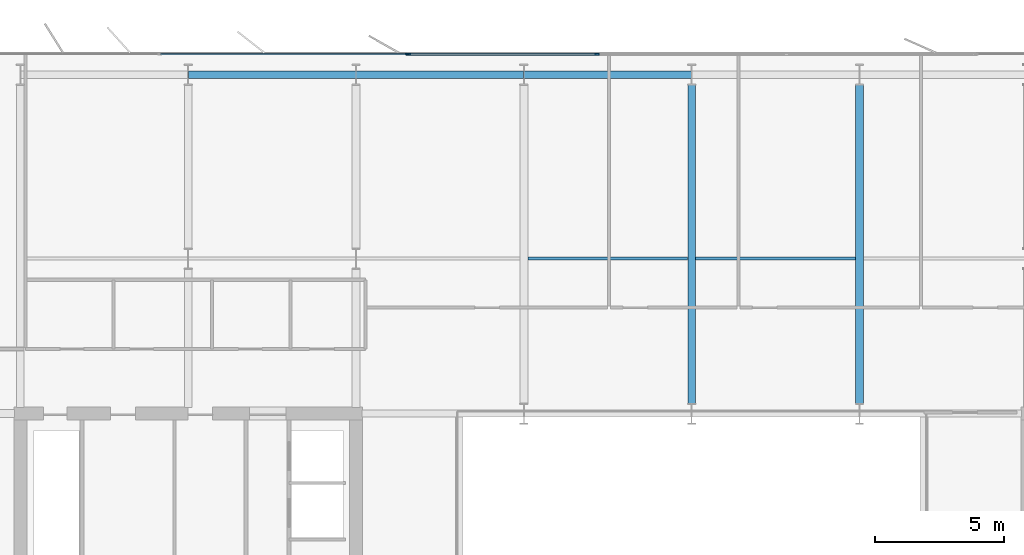
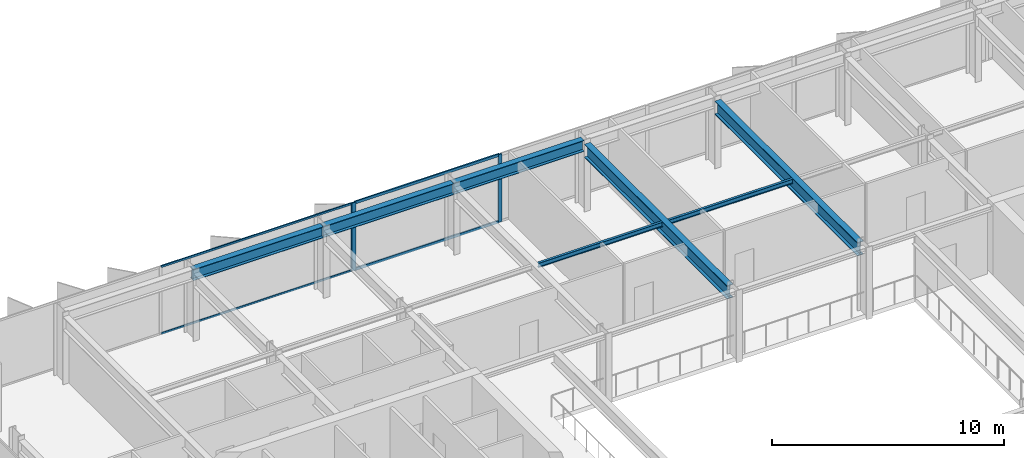
# One storey, part 11 of 23: 7 beams, 7 members, 2 elements without a shape of their own.
"""IFC4 building model written with IfcOpenShell, lengths in metres."""

from ifc_helpers import new_model, si_unit, direction, frame, origin, origin_2d, place, context, subcontext, project, spatial, rectangle, i_section, extrude, material, layer, layer_set, material_profile, profile_set, type_object, element, aggregate, save


model = new_model("IFC4")

# Units and contexts
model_context = context("Model", 3, precision=1e-05, world=origin(), true_north=direction((0.0, 1.0)))
body_context = subcontext(model_context, "Body", "Model", "MODEL_VIEW")
ifc_project = project(units=[si_unit("LENGTHUNIT", "METRE"), si_unit("AREAUNIT", "SQUARE_METRE"), si_unit("VOLUMEUNIT", "CUBIC_METRE"), si_unit("PLANEANGLEUNIT", "RADIAN"), si_unit("MASSUNIT", "GRAM", prefix="KILO")], contexts=[model_context])

# Site, building, storey
site_placement = place(None, origin())
site = spatial("IfcSite", under=ifc_project, at=site_placement, CompositionType="ELEMENT")
building_placement = place(site_placement, origin())
building = spatial("IfcBuilding", under=site, at=building_placement, Name="Putna Gate Headquarters", CompositionType="ELEMENT")
storey_placement = place(building_placement, frame((0.0, 0.0, 232.800048828125)))
storey = spatial("IfcBuildingStorey", under=building, at=storey_placement, Name="L58", CompositionType="ELEMENT", Elevation=232.800048828125)

# Beams
ifc_material_1 = material(Name="Steel S355J2", Category="steel")
ifc_material_profile_1 = material_profile(ifc_material_1, i_section(OverallWidth=0.300048828125, OverallDepth=0.699951171875, WebThickness=0.01708984375, FlangeThickness=0.031982421875, at=origin_2d()), Name="Steel S355J2")
ifc_profile_set_1 = profile_set([ifc_material_profile_1], Name="Steel S355J2")
beam_type_1 = type_object("IfcBeamType", Name="BM-GIRD-B-HEB700", PredefinedType="USERDEFINED", material=ifc_profile_set_1)
for number, where, z_axis, x_axis, name in (
    (1, (39.0, 33.39501953125, 3.22998046875), (0.0, 1.0, 0.0), (-1.0, 0.0, 0.0), "L58 North Primary Girder X39"),
    (2, (45.5, 33.39501953125, 3.22998046875), (0.0, 1.0, 0.0), (-1.0, 0.0, 0.0), "L58 North Primary Girder X45"),
):
    element("IfcBeam", number, at=place(storey_placement, frame(where, z_axis=z_axis, x_axis=x_axis)), inside=storey, type_object=beam_type_1, Name=name, ObjectType="GIRDER", PredefinedType="USERDEFINED", context=body_context, shape_type="SweptSolid", body=[
        extrude(i_section(OverallWidth=0.300048828125, OverallDepth=0.699951171875, WebThickness=0.01708984375, FlangeThickness=0.031982421875, at=origin_2d()), origin(), (0.0, 0.0, 1.0), 12.330078125),
    ])
ifc_material_profile_2 = material_profile(ifc_material_1, i_section(OverallWidth=0.1201171875, OverallDepth=0.239990234375, WebThickness=0.006103515625, FlangeThickness=0.009765625, at=origin_2d()), Name="Steel S355J2")
ifc_profile_set_2 = profile_set([ifc_material_profile_2], Name="Steel S355J2")
beam_type_2 = type_object("IfcBeamType", Name="BM-SEC-Z4-IPE240", PredefinedType="JOIST", material=ifc_profile_set_2)
for number, where, z_axis, x_axis, name in (
    (3, (32.654052734375, 39.0, 3.4599609375), (1.0, 0.0, 0.0), (0.0, 1.0, 0.0), "L58 North Secondary Beam 4"),
    (4, (39.154052734375, 39.0, 3.4599609375), (1.0, 0.0, 0.0), (0.0, 1.0, 0.0), "L58 North Secondary Beam 5"),
):
    element("IfcBeam", number, at=place(storey_placement, frame(where, z_axis=z_axis, x_axis=x_axis)), inside=storey, type_object=beam_type_2, Name=name, PredefinedType="JOIST", context=body_context, shape_type="SweptSolid", body=[
        extrude(i_section(OverallWidth=0.1201171875, OverallDepth=0.239990234375, WebThickness=0.006103515625, FlangeThickness=0.009765625, at=origin_2d()), origin(), (0.0, 0.0, 1.0), 6.19189453125),
    ])
ifc_material_profile_3 = material_profile(ifc_material_1, i_section(OverallWidth=0.300048828125, OverallDepth=0.590087890625, WebThickness=0.012939453125, FlangeThickness=0.02490234375, at=origin_2d()), Name="Steel S355J2")
ifc_profile_set_3 = profile_set([ifc_material_profile_3], Name="Steel S355J2")
beam_type_3 = type_object("IfcBeamType", Name="BM-SPAN-Z4-HEA600", PredefinedType="SPANDREL", material=ifc_profile_set_3)
for number, where, z_axis, x_axis, name in (
    (5, (19.506103515625, 46.1201171875, 3.284912109375), (1.0, 0.0, 0.0), (0.0, 1.0, 0.0), "L58 N Perimeter Spandrel 2"),
    (6, (26.006103515625, 46.1201171875, 3.284912109375), (1.0, 0.0, 0.0), (0.0, 1.0, 0.0), "L58 N Perimeter Spandrel 3"),
    (7, (32.506103515625, 46.1201171875, 3.284912109375), (1.0, 0.0, 0.0), (0.0, 1.0, 0.0), "L58 N Perimeter Spandrel 4"),
):
    element("IfcBeam", number, at=place(storey_placement, frame(where, z_axis=z_axis, x_axis=x_axis)), inside=storey, type_object=beam_type_3, Name=name, PredefinedType="SPANDREL", context=body_context, shape_type="SweptSolid", body=[
        extrude(i_section(OverallWidth=0.300048828125, OverallDepth=0.590087890625, WebThickness=0.012939453125, FlangeThickness=0.02490234375, at=origin_2d()), origin(), (0.0, 0.0, 1.0), 6.48779296875),
    ])

# Curtain wall, member
ifc_material_2 = material(Name="Anodised bronze aluminium curtain wall", Category="aluminium")
ifc_layer_1 = layer(ifc_material_2, 0.139892578125)
ifc_layer_set_1 = layer_set([ifc_layer_1], Name="Anodised bronze aluminium curtain wall")
curtain_wall_type_1 = type_object("IfcCurtainWallType", Name="CW-SYS-Z4", PredefinedType="USERDEFINED", material=ifc_layer_set_1)
curtain_wall_1_placement = place(storey_placement, origin())
curtain_wall_1 = element("IfcCurtainWall", 8, at=curtain_wall_1_placement, inside=storey, type_object=curtain_wall_type_1, Name="L58 North West Curtain Wall", ObjectType="STICK CURTAIN WALL", PredefinedType="USERDEFINED")
ifc_material_3 = material(Name="Anodised bronze aluminium EN AW-6060", Category="aluminium")
ifc_material_profile_4 = material_profile(ifc_material_3, rectangle(XDim=0.06005859375, YDim=0.139892578125, at=origin_2d()), Name="Anodised bronze aluminium EN AW-6060")
ifc_profile_set_4 = profile_set([ifc_material_profile_4], Name="Anodised bronze aluminium EN AW-6060")
member_type_1 = type_object("IfcMemberType", Name="MULL-CWM-4", PredefinedType="MULLION", material=ifc_profile_set_4)
member_1_placement = place(storey_placement, frame((27.969970703125, 46.919921875, 0.0), z_axis=(0.0, 0.0, 1.0), x_axis=(0.0, 1.0, 0.0)))
member_1 = element("IfcMember", 9, at=member_1_placement, type_object=member_type_1, Name="CWS-4 mullion 3", PredefinedType="MULLION", context=body_context, shape_type="SweptSolid", body=[
    extrude(rectangle(XDim=0.06005859375, YDim=0.139892578125, at=origin_2d()), origin(), (0.0, 0.0, 1.0), 3.579833984375),
])

# Curtain wall, members
ifc_layer_2 = layer(ifc_material_2, 0.179931640625)
ifc_layer_set_2 = layer_set([ifc_layer_2], Name="Anodised bronze aluminium curtain wall")
curtain_wall_type_2 = type_object("IfcCurtainWallType", Name="CW-SYS-ATR", PredefinedType="USERDEFINED", material=ifc_layer_set_2)
curtain_wall_2_placement = place(storey_placement, origin())
curtain_wall_2 = element("IfcCurtainWall", 10, at=curtain_wall_2_placement, inside=storey, type_object=curtain_wall_type_2, Name="L58 North Atrium Clear Glazing", ObjectType="ATRIUM GLAZING", PredefinedType="USERDEFINED")
ifc_material_profile_5 = material_profile(ifc_material_3, rectangle(XDim=0.070068359375, YDim=0.179931640625, at=origin_2d()), Name="Anodised bronze aluminium EN AW-6060")
ifc_profile_set_5 = profile_set([ifc_material_profile_5], Name="Anodised bronze aluminium EN AW-6060")
member_type_2 = type_object("IfcMemberType", Name="MULL-CWM-AT", PredefinedType="MULLION", material=ifc_profile_set_5)
member_2_placement = place(storey_placement, frame((28.034912109375, 46.919921875, 0.0), z_axis=(0.0, 0.0, 1.0), x_axis=(0.0, 1.0, 0.0)))
member_2 = element("IfcMember", 11, at=member_2_placement, type_object=member_type_2, Name="CWS-AT mullion 1", PredefinedType="MULLION", context=body_context, shape_type="SweptSolid", body=[
    extrude(rectangle(XDim=0.070068359375, YDim=0.179931640625, at=origin_2d()), origin(), (0.0, 0.0, 1.0), 3.579833984375),
])
member_3_placement = place(storey_placement, frame((35.333251953125, 46.919921875, 0.0), z_axis=(0.0, 0.0, 1.0), x_axis=(0.0, 1.0, 0.0)))
member_3 = element("IfcMember", 12, at=member_3_placement, type_object=member_type_2, Name="CWS-AT mullion 2", PredefinedType="MULLION", context=body_context, shape_type="SweptSolid", body=[
    extrude(rectangle(XDim=0.070068359375, YDim=0.179931640625, at=origin_2d()), origin(), (0.0, 0.0, 1.0), 3.579833984375),
])

# Member
ifc_material_profile_6 = material_profile(ifc_material_3, rectangle(XDim=0.06005859375, YDim=0.10009765625, at=origin_2d()), Name="Anodised bronze aluminium EN AW-6060")
ifc_profile_set_6 = profile_set([ifc_material_profile_6], Name="Anodised bronze aluminium EN AW-6060")
member_type_3 = type_object("IfcMemberType", Name="TRAN-CWT-4", PredefinedType="USERDEFINED", material=ifc_profile_set_6)
member_4_placement = place(storey_placement, frame((18.429931640625, 46.919921875, 0.030029296875), z_axis=(1.0, 0.0, 0.0), x_axis=(0.0, 1.0, 0.0)))
member_4 = element("IfcMember", 13, at=member_4_placement, type_object=member_type_3, Name="CWS-4 transom 2.1", ObjectType="TRANSOM", PredefinedType="USERDEFINED", context=body_context, shape_type="SweptSolid", body=[
    extrude(rectangle(XDim=0.06005859375, YDim=0.10009765625, at=origin_2d()), origin(), (0.0, 0.0, 1.0), 9.510009765625),
])

member_5_placement = place(storey_placement, frame((18.429931640625, 46.919921875, 3.550048828125), z_axis=(1.0, 0.0, 0.0), x_axis=(0.0, 1.0, 0.0)))
member_5 = element("IfcMember", 14, at=member_5_placement, type_object=member_type_3, Name="CWS-4 transom 2.2", ObjectType="TRANSOM", PredefinedType="USERDEFINED", context=body_context, shape_type="SweptSolid", body=[
    extrude(rectangle(XDim=0.06005859375, YDim=0.10009765625, at=origin_2d()), origin(), (0.0, 0.0, 1.0), 9.510009765625),
])

aggregate(curtain_wall_1, [member_1, member_4, member_5])

ifc_material_profile_7 = material_profile(ifc_material_3, rectangle(XDim=0.070068359375, YDim=0.139892578125, at=origin_2d()), Name="Anodised bronze aluminium EN AW-6060")
ifc_profile_set_7 = profile_set([ifc_material_profile_7], Name="Anodised bronze aluminium EN AW-6060")
member_type_4 = type_object("IfcMemberType", Name="TRAN-CWT-AT", PredefinedType="USERDEFINED", material=ifc_profile_set_7)
member_6_placement = place(storey_placement, frame((28.070068359375, 46.919921875, 0.034912109375), z_axis=(1.0, 0.0, 0.0), x_axis=(0.0, 1.0, 0.0)))
member_6 = element("IfcMember", 15, at=member_6_placement, type_object=member_type_4, Name="CWS-AT transom 1.1", ObjectType="TRANSOM", PredefinedType="USERDEFINED", context=body_context, shape_type="SweptSolid", body=[
    extrude(rectangle(XDim=0.070068359375, YDim=0.139892578125, at=origin_2d()), origin(), (0.0, 0.0, 1.0), 7.228271484375),
])

member_7_placement = place(storey_placement, frame((28.070068359375, 46.919921875, 3.544921875), z_axis=(1.0, 0.0, 0.0), x_axis=(0.0, 1.0, 0.0)))
member_7 = element("IfcMember", 16, at=member_7_placement, type_object=member_type_4, Name="CWS-AT transom 1.2", ObjectType="TRANSOM", PredefinedType="USERDEFINED", context=body_context, shape_type="SweptSolid", body=[
    extrude(rectangle(XDim=0.070068359375, YDim=0.139892578125, at=origin_2d()), origin(), (0.0, 0.0, 1.0), 7.228271484375),
])

aggregate(curtain_wall_2, [member_2, member_3, member_6, member_7])

save(model, "model.ifc")
